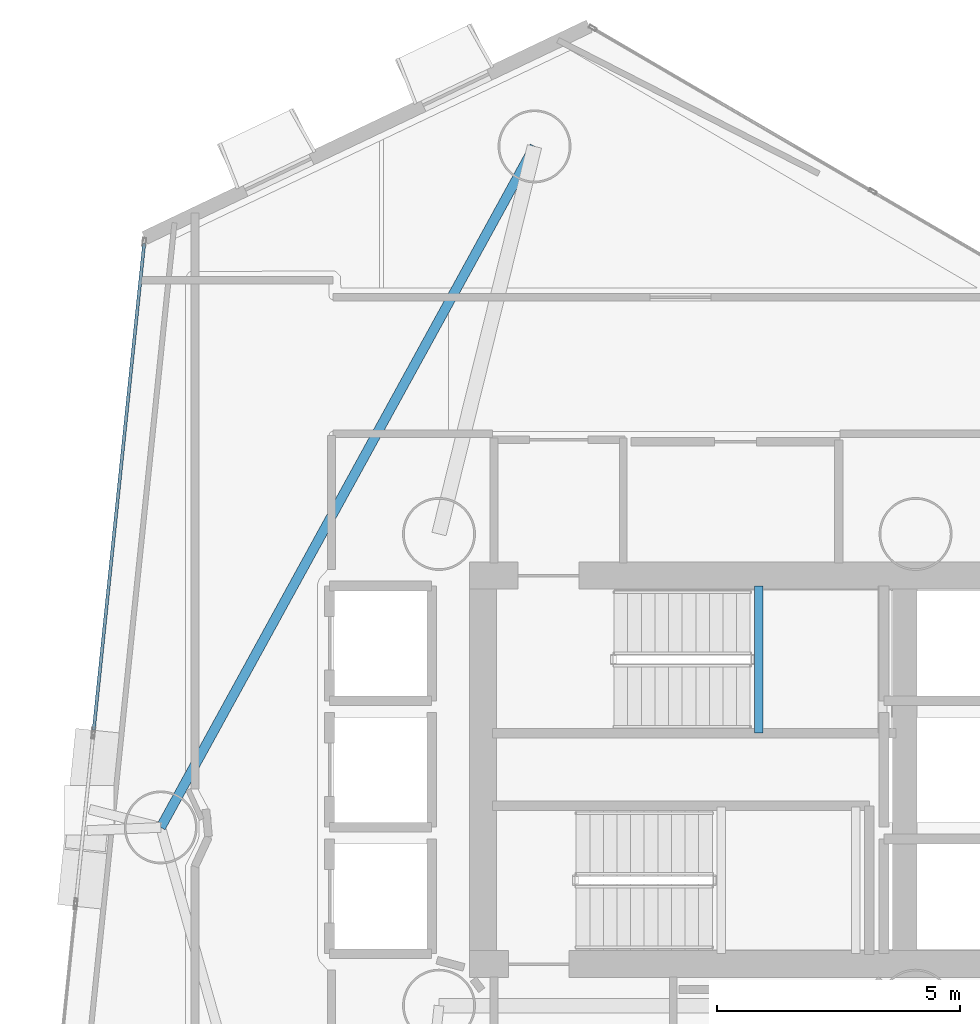
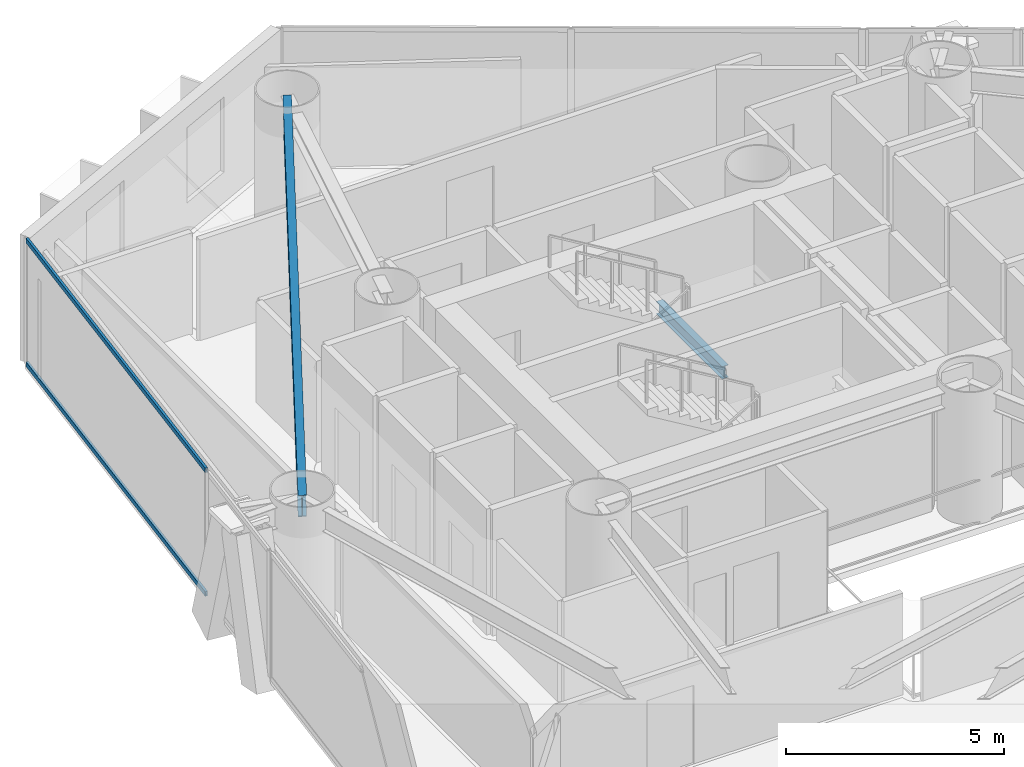
# One storey, part 7 of 19: 2 beams, 2 members, 1 element without a shape of its own.
"""IFC4 building model written with IfcOpenShell, lengths in metres."""

from ifc_helpers import new_model, si_unit, direction, frame, origin, origin_2d, place, context, subcontext, project, spatial, hollow_rectangle, i_section, extrude, material, layer, layer_set, material_profile, profile_set, type_object, element, aggregate, save


model = new_model("IFC4")

# Units and contexts
model_context = context("Model", 3, precision=1e-05, world=origin(), true_north=direction((0.0, 1.0)))
body_context = subcontext(model_context, "Body", "Model", "MODEL_VIEW")
ifc_project = project(units=[si_unit("LENGTHUNIT", "METRE"), si_unit("AREAUNIT", "SQUARE_METRE"), si_unit("VOLUMEUNIT", "CUBIC_METRE"), si_unit("PLANEANGLEUNIT", "RADIAN"), si_unit("MASSUNIT", "GRAM", prefix="KILO")], contexts=[model_context])

# Site, building, storey
site_placement = place(None, origin())
site = spatial("IfcSite", under=ifc_project, at=site_placement, CompositionType="ELEMENT")
building_placement = place(site_placement, origin())
building = spatial("IfcBuilding", under=site, at=building_placement, Name="Qianvela Tower", CompositionType="ELEMENT")
storey_placement = place(building_placement, frame((0.0, 0.0, 120.0)))
storey = spatial("IfcBuildingStorey", under=building, at=storey_placement, Name="L30", CompositionType="ELEMENT", Elevation=120.0)

# Beams
ifc_material_1 = material(Name="Steel Q355B", Category="steel")
ifc_material_profile_1 = material_profile(ifc_material_1, i_section(OverallWidth=0.175048828125, OverallDepth=0.35009765625, WebThickness=0.007080078125, FlangeThickness=0.010986328125, at=origin_2d()), Name="HN350x175x7x11")
ifc_profile_set_1 = profile_set([ifc_material_profile_1], Name="Steel Q355B")
beam_type_1 = type_object("IfcBeamType", Name="BM-HN350-JOIST", PredefinedType="JOIST", material=ifc_profile_set_1)
beam_1_placement = place(storey_placement, frame((35.179931640625, 29.4599609375, 1.47509765625), z_axis=(0.0, 1.0, 0.0), x_axis=(-1.0, 0.0, 0.0)))
element("IfcBeam", 1, at=beam_1_placement, inside=storey, type_object=beam_type_1, Name="L30 Stair ST-1 Landing Support Beam 1.1", PredefinedType="JOIST", context=body_context, shape_type="SweptSolid", body=[
    extrude(i_section(OverallWidth=0.175048828125, OverallDepth=0.35009765625, WebThickness=0.007080078125, FlangeThickness=0.010986328125, at=origin_2d()), origin(), (0.0, 0.0, 1.0), 3.02001953125),
])
ifc_material_2 = material(Name="Steel Q355B", Category="steel")
ifc_material_profile_2 = material_profile(ifc_material_2, i_section(OverallWidth=0.199951171875, OverallDepth=0.60009765625, WebThickness=0.010986328125, FlangeThickness=0.01708984375, at=origin_2d()), Name="HN600x200x11x17")
ifc_profile_set_2 = profile_set([ifc_material_profile_2], Name="Steel Q355B")
beam_type_2 = type_object("IfcBeamType", Name="BM-HN600-GIRD", PredefinedType="BEAM", material=ifc_profile_set_2)
beam_2_placement = place(storey_placement, frame((30.56396484375, 41.52099609375, 3.218017578125), z_axis=(-0.481118353038, -0.876655650965, 0.0), x_axis=(0.876655650965, -0.481118353038, 0.0)))
element("IfcBeam", 2, at=beam_2_placement, inside=storey, type_object=beam_type_2, Name="L30 Perimeter Ring Spandrel Girder 3", PredefinedType="BEAM", context=body_context, shape_type="SweptSolid", body=[
    extrude(i_section(OverallWidth=0.199951171875, OverallDepth=0.60009765625, WebThickness=0.010986328125, FlangeThickness=0.01708984375, at=origin_2d()), origin(), (0.0, 0.0, 1.0), 15.975341796875),
])

# Curtain wall, members
ifc_material_3 = material(Name="Anodised Architectural Aluminium and Low-E Glass", Category="aluminium")
ifc_layer = layer(ifc_material_3, 0.169921875)
ifc_layer_set = layer_set([ifc_layer], Name="Anodised Architectural Aluminium and Low-E Glass")
curtain_wall_type = type_object("IfcCurtainWallType", Name="CW-COLIV-Z34", PredefinedType="USERDEFINED", material=ifc_layer_set)
curtain_wall_placement = place(storey_placement, origin())
curtain_wall = element("IfcCurtainWall", 3, at=curtain_wall_placement, inside=storey, type_object=curtain_wall_type, Name="L30 CW-COLIV-Z34 Curtain Wall 04A", ObjectType="CURTAIN_WALL_SYSTEM", PredefinedType="USERDEFINED")
ifc_material_4 = material(Name="Anodised Architectural Aluminium 6063-T6", Category="aluminium")
ifc_material_profile_3 = material_profile(ifc_material_4, hollow_rectangle(XDim=0.06494140625, YDim=0.1298828125, WallThickness=0.00439453125, at=origin_2d()), Name="ALU-TRAN-65x130")
ifc_profile_set_3 = profile_set([ifc_material_profile_3], Name="Anodised Architectural Aluminium 6063-T6")
member_type = type_object("IfcMemberType", Name="CW-COLIV-Z34-TRAN", PredefinedType="USERDEFINED", material=ifc_profile_set_3)
member_1_placement = place(storey_placement, frame((22.536865234375, 39.525146484375, 0.032470703125), z_axis=(-0.103114419459, -0.994669501141, 0.0), x_axis=(0.994669501141, -0.103114419459, 0.0)))
member_1 = element("IfcMember", 4, at=member_1_placement, type_object=member_type, Name="CW-4 transom 1.1", ObjectType="TRANSOM", PredefinedType="USERDEFINED", context=body_context, shape_type="SweptSolid", body=[
    extrude(hollow_rectangle(XDim=0.06494140625, YDim=0.1298828125, WallThickness=0.00439453125, at=origin_2d()), origin(), (0.0, 0.0, 1.0), 10.060302734375),
])
member_2_placement = place(storey_placement, frame((22.536865234375, 39.525146484375, 3.487548828125), z_axis=(-0.103114419459, -0.994669501141, 0.0), x_axis=(0.994669501141, -0.103114419459, 0.0)))
member_2 = element("IfcMember", 5, at=member_2_placement, type_object=member_type, Name="CW-4 transom 1.2", ObjectType="TRANSOM", PredefinedType="USERDEFINED", context=body_context, shape_type="SweptSolid", body=[
    extrude(hollow_rectangle(XDim=0.06494140625, YDim=0.1298828125, WallThickness=0.00439453125, at=origin_2d()), origin(), (0.0, 0.0, 1.0), 10.060302734375),
])
aggregate(curtain_wall, [member_1, member_2])

save(model, "model.ifc")
